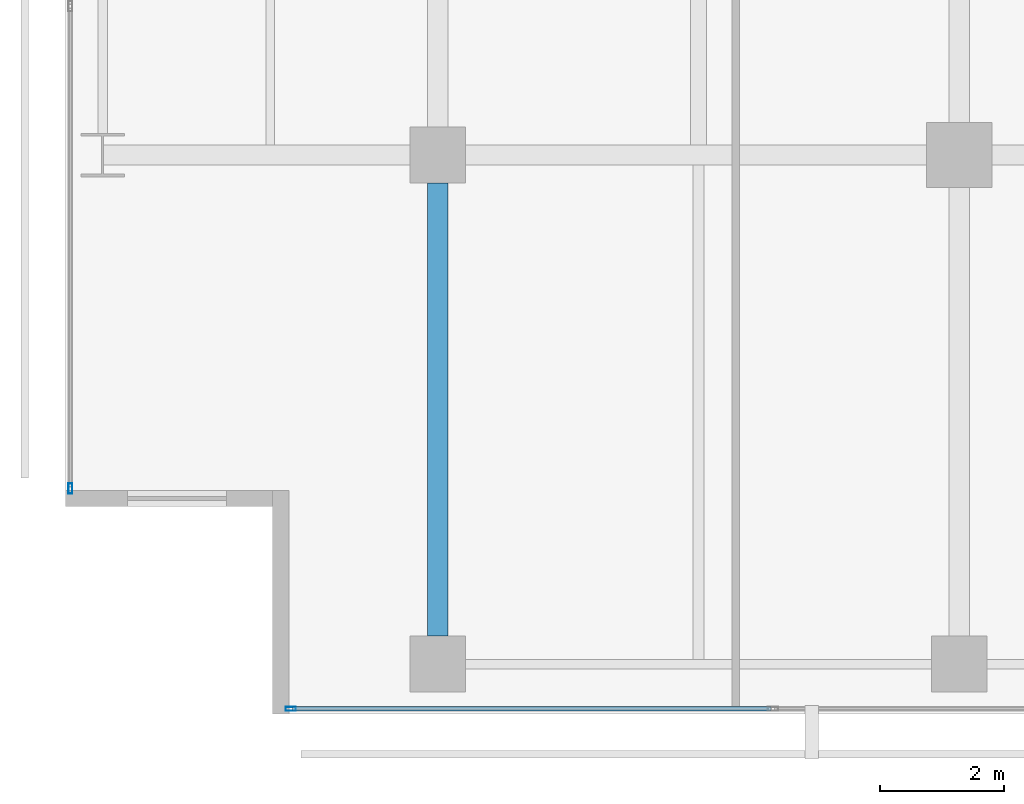
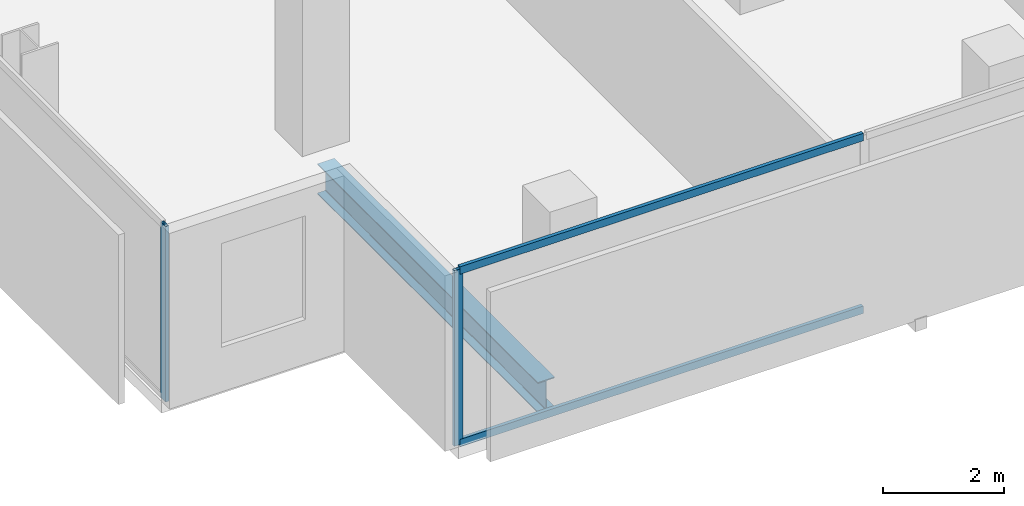
# One storey, part 2 of 39: 4 members, 1 beam, 2 elements without a shape of their own.
"""IFC4 building model written with IfcOpenShell, lengths in metres."""

from ifc_helpers import new_model, si_unit, direction, frame, origin, origin_2d, place, context, subcontext, project, spatial, hollow_rectangle, i_section, extrude, material, layer, layer_set, material_profile, profile_set, type_object, element, aggregate, save


model = new_model("IFC4")

# Units and contexts
model_context = context("Model", 3, precision=1e-05, world=origin(), true_north=direction((0.0, 1.0)))
body_context = subcontext(model_context, "Body", "Model", "MODEL_VIEW")
ifc_project = project(units=[si_unit("LENGTHUNIT", "METRE"), si_unit("AREAUNIT", "SQUARE_METRE"), si_unit("VOLUMEUNIT", "CUBIC_METRE"), si_unit("PLANEANGLEUNIT", "RADIAN"), si_unit("MASSUNIT", "GRAM", prefix="KILO")], contexts=[model_context])

# Site, building, storey
site_placement = place(None, origin())
site = spatial("IfcSite", under=ifc_project, at=site_placement, CompositionType="ELEMENT")
building_placement = place(site_placement, origin())
building = spatial("IfcBuilding", under=site, at=building_placement, Name="Maruvema Waterfront Hotel and Observation Tower", CompositionType="ELEMENT")
storey_placement = place(building_placement, frame((0.0, 0.0, 111.64990234375)))
storey = spatial("IfcBuildingStorey", under=building, at=storey_placement, Name="L27", CompositionType="ELEMENT", Elevation=111.64990234375)

# Curtain wall, members
ifc_material_1 = material(Name="Anodised bronze aluminium and solar-control low-E IGU", Category="aluminium")
ifc_layer = layer(ifc_material_1, 0.159912109375, Name="Zone 1 Bronze Inner Thermal Curtain Wall System CW-02")
ifc_layer_set = layer_set([ifc_layer], Name="Anodised bronze aluminium and solar-control low-E IGU")
curtain_wall_type = type_object("IfcCurtainWallType", Name="Zone 1 Bronze Inner Thermal Curtain Wall System CW-02", PredefinedType="USERDEFINED", material=ifc_layer_set)
curtain_wall_1_placement = place(storey_placement, origin())
curtain_wall_1 = element("IfcCurtainWall", 1, at=curtain_wall_1_placement, inside=storey, type_object=curtain_wall_type, Name="L27 Curtain Wall CW-L27-S", ObjectType="UNITISED CURTAIN WALL", PredefinedType="USERDEFINED")
ifc_material_2 = material(Name="Anodised architectural bronze aluminium", Category="aluminium")
ifc_material_profile_1 = material_profile(ifc_material_2, hollow_rectangle(XDim=0.070068359375, YDim=0.14990234375, WallThickness=0.00390625, at=origin_2d()), Name="ALU-T70x150")
ifc_profile_set_1 = profile_set([ifc_material_profile_1], Name="Anodised architectural bronze aluminium")
member_type_1 = type_object("IfcMemberType", Name="Curtain Wall Horizontal Transom ALU-T70x150", PredefinedType="USERDEFINED", material=ifc_profile_set_1)
member_1_placement = place(storey_placement, frame((14.4599609375, 0.080078125, 0.030029296875), z_axis=(1.0, 0.0, 0.0), x_axis=(0.0, 1.0, 0.0)))
member_1 = element("IfcMember", 2, at=member_1_placement, type_object=member_type_1, Name="CW-02 transom 1.1", ObjectType="TRANSOM", PredefinedType="USERDEFINED", context=body_context, shape_type="SweptSolid", body=[
    extrude(hollow_rectangle(XDim=0.070068359375, YDim=0.14990234375, WallThickness=0.00390625, at=origin_2d()), origin(), (0.0, 0.0, 1.0), 7.7099609375),
])
member_2_placement = place(storey_placement, frame((14.4599609375, 0.080078125, 3.52001953125), z_axis=(1.0, 0.0, 0.0), x_axis=(0.0, 1.0, 0.0)))
member_2 = element("IfcMember", 3, at=member_2_placement, type_object=member_type_1, Name="CW-02 transom 1.2", ObjectType="TRANSOM", PredefinedType="USERDEFINED", context=body_context, shape_type="SweptSolid", body=[
    extrude(hollow_rectangle(XDim=0.070068359375, YDim=0.14990234375, WallThickness=0.00390625, at=origin_2d()), origin(), (0.0, 0.0, 1.0), 7.7099609375),
])
ifc_material_3 = material(Name="Anodised architectural bronze aluminium", Category="aluminium")
ifc_material_profile_2 = material_profile(ifc_material_3, hollow_rectangle(XDim=0.06494140625, YDim=0.1650390625, WallThickness=0.00390625, at=origin_2d()), Name="ALU-M65x165")
ifc_profile_set_2 = profile_set([ifc_material_profile_2], Name="Anodised architectural bronze aluminium")
member_type_2 = type_object("IfcMemberType", Name="Curtain Wall Primary Mullion ALU-M65x165", PredefinedType="MULLION", material=ifc_profile_set_2)
member_3_placement = place(storey_placement, frame((14.429931640625, 0.080078125, 0.0), z_axis=(0.0, 0.0, 1.0), x_axis=(0.0, 1.0, 0.0)))
member_3 = element("IfcMember", 4, at=member_3_placement, type_object=member_type_2, Name="CW-02 mullion 1", PredefinedType="MULLION", context=body_context, shape_type="SweptSolid", body=[
    extrude(hollow_rectangle(XDim=0.06494140625, YDim=0.1650390625, WallThickness=0.00390625, at=origin_2d()), origin(), (0.0, 0.0, 1.0), 3.550048828125),
])
aggregate(curtain_wall_1, [member_3, member_1, member_2])

# Curtain wall, member
curtain_wall_2_placement = place(storey_placement, origin())
curtain_wall_2 = element("IfcCurtainWall", 5, at=curtain_wall_2_placement, inside=storey, type_object=curtain_wall_type, Name="L27 Curtain Wall CW-L27-W", ObjectType="UNITISED CURTAIN WALL", PredefinedType="USERDEFINED")
member_4_placement = place(storey_placement, frame((10.8798828125, 3.6298828125, 0.0), z_axis=(0.0, 0.0, 1.0), x_axis=(1.0, 0.0, 0.0)))
member_4 = element("IfcMember", 6, at=member_4_placement, type_object=member_type_2, Name="CW-02 mullion 7", PredefinedType="MULLION", context=body_context, shape_type="SweptSolid", body=[
    extrude(hollow_rectangle(XDim=0.06494140625, YDim=0.1650390625, WallThickness=0.00390625, at=origin_2d()), origin(), (0.0, 0.0, 1.0), 3.550048828125),
])
aggregate(curtain_wall_2, [member_4])

# Beam
ifc_material_4 = material(Name="Steel ASTM A572 Grade 50", Category="steel")
ifc_material_profile_3 = material_profile(ifc_material_4, i_section(OverallWidth=0.323974609375, OverallDepth=0.611083984375, WebThickness=0.0126953125, FlangeThickness=0.01904296875, FilletRadius=0.01806640625, at=origin_2d()), Name="W610x155.0")
ifc_profile_set_3 = profile_set([ifc_material_profile_3], Name="Steel ASTM A572 Grade 50")
beam_type = type_object("IfcBeamType", Name="Primary Floor Girder W610x155.0", PredefinedType="BEAM", material=ifc_profile_set_3)
beam_placement = place(storey_placement, frame((16.800048828125, 1.25, -0.54541015625), z_axis=(0.0, 1.0, 0.0), x_axis=(-1.0, 0.0, 0.0)))
element("IfcBeam", 7, at=beam_placement, inside=storey, type_object=beam_type, Name="L27 Floor Girder NS-05", PredefinedType="BEAM", context=body_context, shape_type="SweptSolid", body=[
    extrude(i_section(OverallWidth=0.323974609375, OverallDepth=0.611083984375, WebThickness=0.0126953125, FlangeThickness=0.01904296875, FilletRadius=0.01806640625, at=origin_2d()), origin(), (0.0, 0.0, 1.0), 7.300048828125),
])

save(model, "model.ifc")
